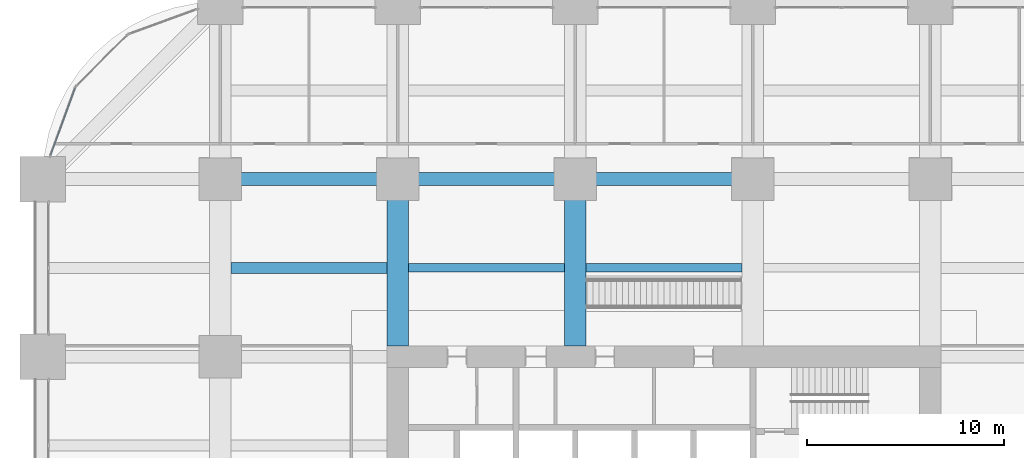
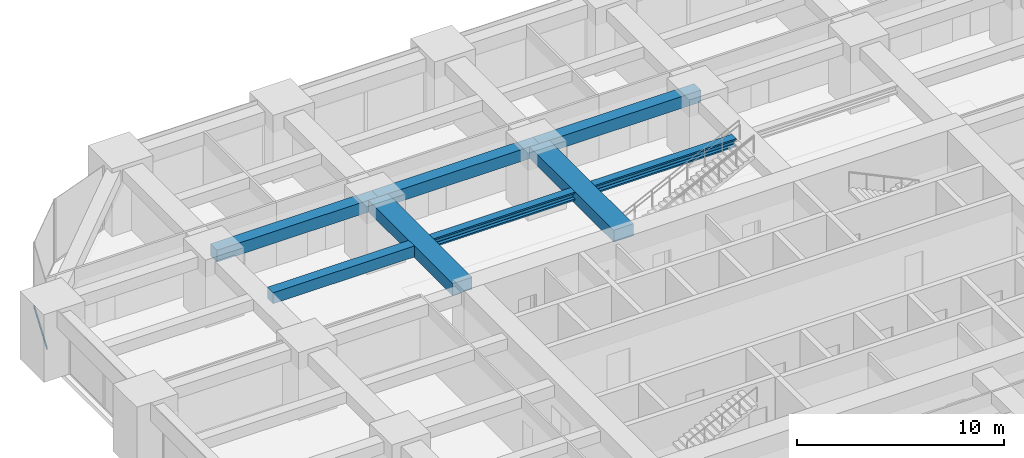
# One storey, part 26 of 44: 8 beams, 1 member, 1 element without a shape of its own.
"""IFC4 building model written with IfcOpenShell, lengths in metres."""

from ifc_helpers import new_model, si_unit, direction, frame, origin, origin_2d, place, context, subcontext, project, spatial, rectangle, hollow_rectangle, i_section, extrude, material, material_profile, profile_set, type_object, element, aggregate, save


model = new_model("IFC4")

# Units and contexts
model_context = context("Model", 3, precision=1e-05, world=origin(), true_north=direction((0.0, 1.0)))
body_context = subcontext(model_context, "Body", "Model", "MODEL_VIEW")
ifc_project = project(units=[si_unit("LENGTHUNIT", "METRE"), si_unit("AREAUNIT", "SQUARE_METRE"), si_unit("VOLUMEUNIT", "CUBIC_METRE"), si_unit("PLANEANGLEUNIT", "RADIAN"), si_unit("MASSUNIT", "GRAM", prefix="KILO")], contexts=[model_context])

# Site, building, storey
site_placement = place(None, origin())
site = spatial("IfcSite", under=ifc_project, at=site_placement, CompositionType="ELEMENT")
building_placement = place(site_placement, origin())
building = spatial("IfcBuilding", under=site, at=building_placement, Name="Zorevar Civic Tower", CompositionType="ELEMENT")
storey_placement = place(building_placement, frame((0.0, 0.0, 59.800048828125)))
storey = spatial("IfcBuildingStorey", under=building, at=storey_placement, Name="L14", CompositionType="ELEMENT", Elevation=59.800048828125)

# Beams
ifc_material_1 = material(Name="Concrete C50/60", Category="concrete")
ifc_material_profile_1 = material_profile(ifc_material_1, rectangle(XDim=1.10009765625, YDim=0.699951171875, at=origin_2d()), Name="RC 1100x700")
ifc_profile_set_1 = profile_set([ifc_material_profile_1], Name="Concrete C50/60")
beam_type_1 = type_object("IfcBeamType", Name="Beam RC 1100x700", PredefinedType="BEAM", material=ifc_profile_set_1)
for number, where, z_axis, x_axis, name in (
    (1, (18.0, 36.550048828125, 3.39990234375), (0.0, 1.0, 0.0), (-1.0, 0.0, 0.0), "Girder L15"),
    (2, (27.0, 36.550048828125, 3.39990234375), (0.0, 1.0, 0.0), (-1.0, 0.0, 0.0), "Girder L15"),
):
    element("IfcBeam", number, at=place(storey_placement, frame(where, z_axis=z_axis, x_axis=x_axis)), inside=storey, type_object=beam_type_1, Name=name, PredefinedType="BEAM", context=body_context, shape_type="SweptSolid", body=[
        extrude(rectangle(XDim=1.10009765625, YDim=0.699951171875, at=origin_2d()), origin(), (0.0, 0.0, 1.0), 8.449951171875),
    ])
ifc_material_2 = material(Name="Concrete C50/60", Category="concrete")
ifc_material_profile_2 = material_profile(ifc_material_2, rectangle(XDim=0.550048828125, YDim=0.64990234375, at=origin_2d()), Name="RC 550x650")
ifc_profile_set_2 = profile_set([ifc_material_profile_2], Name="Concrete C50/60")
beam_type_2 = type_object("IfcBeamType", Name="Beam RC 550x650", PredefinedType="BEAM", material=ifc_profile_set_2)
beam_placement = place(storey_placement, frame((9.550048828125, 40.5, 3.425048828125), z_axis=(1.0, 0.0, 0.0), x_axis=(0.0, 1.0, 0.0)))
element("IfcBeam", 3, at=beam_placement, inside=storey, type_object=beam_type_2, Name="Secondary beam L15", PredefinedType="BEAM", context=body_context, shape_type="SweptSolid", body=[
    extrude(rectangle(XDim=0.550048828125, YDim=0.64990234375, at=origin_2d()), origin(), (0.0, 0.0, 1.0), 7.89990234375),
])
ifc_material_3 = material(Name="Concrete C50/60", Category="concrete")
ifc_material_profile_3 = material_profile(ifc_material_3, rectangle(XDim=0.64990234375, YDim=0.699951171875, at=origin_2d()), Name="RC 650x700")
ifc_profile_set_3 = profile_set([ifc_material_profile_3], Name="Concrete C50/60")
beam_type_3 = type_object("IfcBeamType", Name="Beam RC 650x700", PredefinedType="BEAM", material=ifc_profile_set_3)
for number, where, z_axis, x_axis, name in (
    (4, (9.0, 45.0, 3.39990234375), (1.0, 0.0, 0.0), (0.0, 1.0, 0.0), "Girder L15"),
    (5, (18.0, 45.0, 3.39990234375), (1.0, 0.0, 0.0), (0.0, 1.0, 0.0), "Girder L15"),
    (6, (27.0, 45.0, 3.39990234375), (1.0, 0.0, 0.0), (0.0, 1.0, 0.0), "Girder L15"),
):
    element("IfcBeam", number, at=place(storey_placement, frame(where, z_axis=z_axis, x_axis=x_axis)), inside=storey, type_object=beam_type_3, Name=name, PredefinedType="BEAM", context=body_context, shape_type="SweptSolid", body=[
        extrude(rectangle(XDim=0.64990234375, YDim=0.699951171875, at=origin_2d()), origin(), (0.0, 0.0, 1.0), 9.0),
    ])

# Curtain wall, member
ifc_material_4 = material(Name="Dark grey solar-control glass in black aluminium frame", Category="aluminium")
curtain_wall_type = type_object("IfcCurtainWallType", Name="Curtain wall CW2 low zone", PredefinedType="NOTDEFINED", material=ifc_material_4)
curtain_wall_placement = place(storey_placement, origin())
curtain_wall = element("IfcCurtainWall", 7, at=curtain_wall_placement, inside=storey, type_object=curtain_wall_type, Name="CW2 L14", PredefinedType="NOTDEFINED")
ifc_material_5 = material(Name="Aluminium, black anodised", Category="aluminium")
ifc_material_profile_4 = material_profile(ifc_material_5, hollow_rectangle(XDim=0.06005859375, YDim=0.14990234375, WallThickness=0.00390625, at=origin_2d()), Name="AL 150x60x4")
ifc_profile_set_4 = profile_set([ifc_material_profile_4], Name="Aluminium, black anodised")
member_type = type_object("IfcMemberType", Name="CW2 transom AL 150x60x4", PredefinedType="USERDEFINED", material=ifc_profile_set_4)
member_placement = place(storey_placement, frame((1.64453125, 49.622314453125, 0.030029296875), z_axis=(-0.343047162808, -0.939318180432, 0.0), x_axis=(0.939318180432, -0.343047162808, 0.0)))
member = element("IfcMember", 8, at=member_placement, type_object=member_type, Name="CW2 sill transom", ObjectType="TRANSOM", PredefinedType="USERDEFINED", context=body_context, shape_type="SweptSolid", body=[
    extrude(hollow_rectangle(XDim=0.06005859375, YDim=0.14990234375, WallThickness=0.00390625, at=origin_2d()), origin(), (0.0, 0.0, 1.0), 3.63671875),
])
aggregate(curtain_wall, [member])

# Beams
ifc_material_6 = material(Name="Steel S460M (HISTAR 460)", Category="steel")
ifc_material_profile_5 = material_profile(ifc_material_6, i_section(OverallWidth=0.431884765625, OverallDepth=0.498046875, WebThickness=0.0556640625, FlangeThickness=0.0888671875, FilletRadius=0.014892578125, at=origin_2d()), Name="HD 400x744")
ifc_profile_set_5 = profile_set([ifc_material_profile_5], Name="Steel S460M (HISTAR 460)")
beam_type_4 = type_object("IfcBeamType", Name="Core bay beam HD 400x744", PredefinedType="BEAM", material=ifc_profile_set_5)
for number, where, z_axis, x_axis, name in (
    (9, (18.550048828125, 40.5, 3.5009765625), (1.0, 0.0, 0.0), (0.0, 1.0, 0.0), "Secondary beam L15"),
    (10, (27.550048828125, 40.5, 3.5009765625), (1.0, 0.0, 0.0), (0.0, 1.0, 0.0), "Secondary beam L15"),
):
    element("IfcBeam", number, at=place(storey_placement, frame(where, z_axis=z_axis, x_axis=x_axis)), inside=storey, type_object=beam_type_4, Name=name, PredefinedType="BEAM", context=body_context, shape_type="SweptSolid", body=[
        extrude(i_section(OverallWidth=0.431884765625, OverallDepth=0.498046875, WebThickness=0.0556640625, FlangeThickness=0.0888671875, FilletRadius=0.014892578125, at=origin_2d()), origin(), (0.0, 0.0, 1.0), 7.89990234375),
    ])

save(model, "model.ifc")
